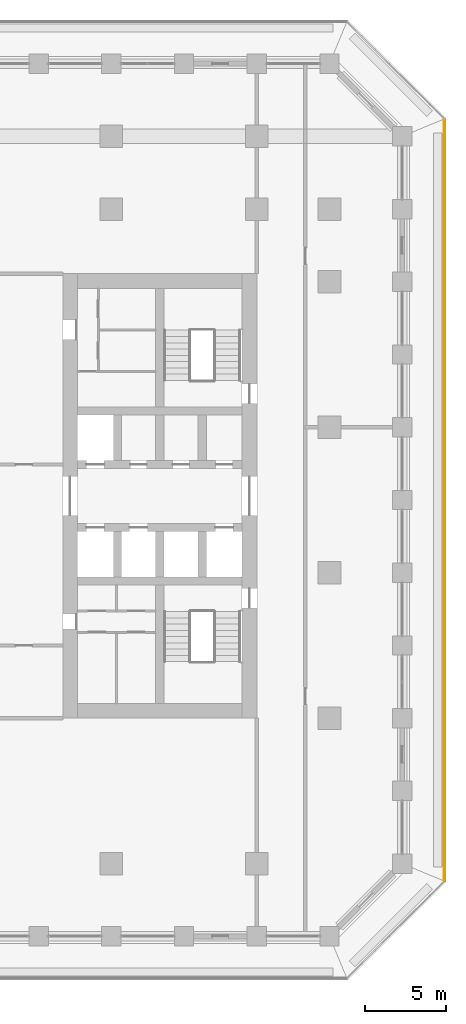
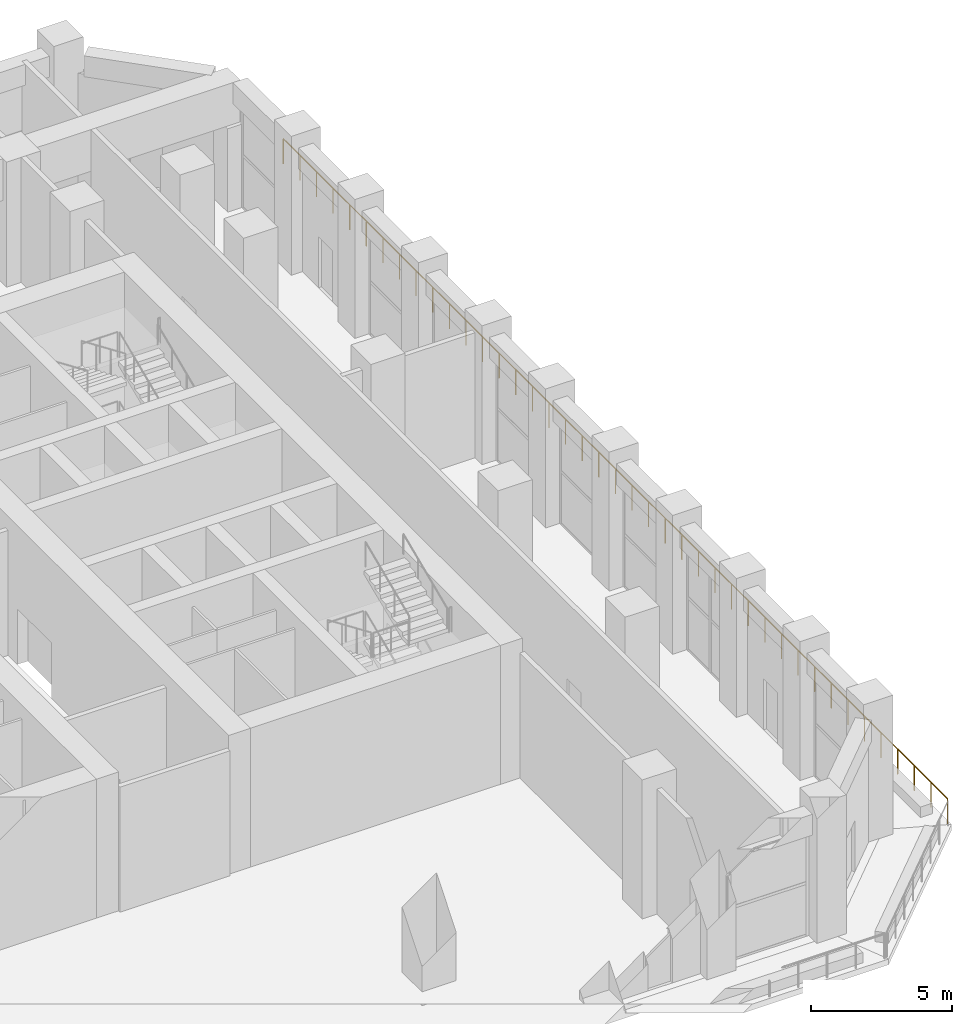
# One storey, part 20 of 24: 1 railing.
"""IFC4 building model written with IfcOpenShell, lengths in metres."""

from ifc_helpers import new_model, si_unit, direction, frame, origin, origin_2d, place, context, subcontext, project, spatial, circle, extrude, material, type_object, element, save


model = new_model("IFC4")

# Units and contexts
model_context = context("Model", 3, precision=1e-05, world=origin(), true_north=direction((0.0, 1.0)))
body_context = subcontext(model_context, "Body", "Model", "MODEL_VIEW")
ifc_project = project(units=[si_unit("LENGTHUNIT", "METRE"), si_unit("AREAUNIT", "SQUARE_METRE"), si_unit("VOLUMEUNIT", "CUBIC_METRE"), si_unit("PLANEANGLEUNIT", "RADIAN"), si_unit("MASSUNIT", "GRAM", prefix="KILO")], contexts=[model_context])

# Site, building, storey
site_placement = place(None, origin())
site = spatial("IfcSite", under=ifc_project, at=site_placement, CompositionType="ELEMENT")
building_placement = place(site_placement, origin())
building = spatial("IfcBuilding", under=site, at=building_placement, Name="Corbel Stack Research Tower", CompositionType="ELEMENT")
storey_placement = place(building_placement, frame((0.0, 0.0, 145.39990234375)))
storey = spatial("IfcBuildingStorey", under=building, at=storey_placement, Name="L33", CompositionType="ELEMENT", Elevation=145.39990234375)

# Railing
ifc_material = material(Name="Powder-coated steel guard", Category="steel")
railing_type = type_object("IfcRailingType", Name="Steel and glass guard 1100", PredefinedType="GUARDRAIL", material=ifc_material)
railing_placement = place(storey_placement, frame((29.60009765625, -19.00537109375, 0.0)))
element("IfcRailing", 1, at=railing_placement, inside=storey, type_object=railing_type, Name="Loggia guard L33 E", PredefinedType="GUARDRAIL", context=body_context, shape_type="SweptSolid", body=[
    extrude(circle(Radius=0.02392578125, at=origin_2d()), frame((0.0, 0.0, 1.076171875), z_axis=(0.0, 1.0, 0.0), x_axis=(-1.0, 0.0, 0.0)), (0.0, 0.0, 1.0), 47.0107421875),
    extrude(circle(Radius=0.02099609375, at=origin_2d()), origin(), (0.0, 0.0, 1.0), 1.052001953125),
    extrude(circle(Radius=0.02099609375, at=origin_2d()), frame((0.0, 1.17529296875, 0.0)), (0.0, 0.0, 1.0), 1.052001953125),
    extrude(circle(Radius=0.02099609375, at=origin_2d()), frame((0.0, 2.3505859375, 0.0)), (0.0, 0.0, 1.0), 1.052001953125),
    extrude(circle(Radius=0.02099609375, at=origin_2d()), frame((0.0, 3.52587890625, 0.0)), (0.0, 0.0, 1.0), 1.052001953125),
    extrude(circle(Radius=0.02099609375, at=origin_2d()), frame((0.0, 4.701171875, 0.0)), (0.0, 0.0, 1.0), 1.052001953125),
    extrude(circle(Radius=0.02099609375, at=origin_2d()), frame((0.0, 5.87646484375, 0.0)), (0.0, 0.0, 1.0), 1.052001953125),
    extrude(circle(Radius=0.02099609375, at=origin_2d()), frame((0.0, 7.051513671875, 0.0)), (0.0, 0.0, 1.0), 1.052001953125),
    extrude(circle(Radius=0.02099609375, at=origin_2d()), frame((0.0, 8.226806640625, 0.0)), (0.0, 0.0, 1.0), 1.052001953125),
    extrude(circle(Radius=0.02099609375, at=origin_2d()), frame((0.0, 9.402099609375, 0.0)), (0.0, 0.0, 1.0), 1.052001953125),
    extrude(circle(Radius=0.02099609375, at=origin_2d()), frame((0.0, 10.577392578125, 0.0)), (0.0, 0.0, 1.0), 1.052001953125),
    extrude(circle(Radius=0.02099609375, at=origin_2d()), frame((0.0, 11.752685546875, 0.0)), (0.0, 0.0, 1.0), 1.052001953125),
    extrude(circle(Radius=0.02099609375, at=origin_2d()), frame((0.0, 12.927978515625, 0.0)), (0.0, 0.0, 1.0), 1.052001953125),
    extrude(circle(Radius=0.02099609375, at=origin_2d()), frame((0.0, 14.103271484375, 0.0)), (0.0, 0.0, 1.0), 1.052001953125),
    extrude(circle(Radius=0.02099609375, at=origin_2d()), frame((0.0, 15.278564453125, 0.0)), (0.0, 0.0, 1.0), 1.052001953125),
    extrude(circle(Radius=0.02099609375, at=origin_2d()), frame((0.0, 16.453857421875, 0.0)), (0.0, 0.0, 1.0), 1.052001953125),
    extrude(circle(Radius=0.02099609375, at=origin_2d()), frame((0.0, 17.62890625, 0.0)), (0.0, 0.0, 1.0), 1.052001953125),
    extrude(circle(Radius=0.02099609375, at=origin_2d()), frame((0.0, 18.80419921875, 0.0)), (0.0, 0.0, 1.0), 1.052001953125),
    extrude(circle(Radius=0.02099609375, at=origin_2d()), frame((0.0, 19.9794921875, 0.0)), (0.0, 0.0, 1.0), 1.052001953125),
    extrude(circle(Radius=0.02099609375, at=origin_2d()), frame((0.0, 21.15478515625, 0.0)), (0.0, 0.0, 1.0), 1.052001953125),
    extrude(circle(Radius=0.02099609375, at=origin_2d()), frame((0.0, 22.330078125, 0.0)), (0.0, 0.0, 1.0), 1.052001953125),
    extrude(circle(Radius=0.02099609375, at=origin_2d()), frame((0.0, 23.50537109375, 0.0)), (0.0, 0.0, 1.0), 1.052001953125),
    extrude(circle(Radius=0.02099609375, at=origin_2d()), frame((0.0, 24.6806640625, 0.0)), (0.0, 0.0, 1.0), 1.052001953125),
    extrude(circle(Radius=0.02099609375, at=origin_2d()), frame((0.0, 25.85595703125, 0.0)), (0.0, 0.0, 1.0), 1.052001953125),
    extrude(circle(Radius=0.02099609375, at=origin_2d()), frame((0.0, 27.03125, 0.0)), (0.0, 0.0, 1.0), 1.052001953125),
    extrude(circle(Radius=0.02099609375, at=origin_2d()), frame((0.0, 28.20654296875, 0.0)), (0.0, 0.0, 1.0), 1.052001953125),
    extrude(circle(Radius=0.02099609375, at=origin_2d()), frame((0.0, 29.3818359375, 0.0)), (0.0, 0.0, 1.0), 1.052001953125),
    extrude(circle(Radius=0.02099609375, at=origin_2d()), frame((0.0, 30.556884765625, 0.0)), (0.0, 0.0, 1.0), 1.052001953125),
    extrude(circle(Radius=0.02099609375, at=origin_2d()), frame((0.0, 31.732177734375, 0.0)), (0.0, 0.0, 1.0), 1.052001953125),
    extrude(circle(Radius=0.02099609375, at=origin_2d()), frame((0.0, 32.907470703125, 0.0)), (0.0, 0.0, 1.0), 1.052001953125),
    extrude(circle(Radius=0.02099609375, at=origin_2d()), frame((0.0, 34.082763671875, 0.0)), (0.0, 0.0, 1.0), 1.052001953125),
    extrude(circle(Radius=0.02099609375, at=origin_2d()), frame((0.0, 35.258056640625, 0.0)), (0.0, 0.0, 1.0), 1.052001953125),
    extrude(circle(Radius=0.02099609375, at=origin_2d()), frame((0.0, 36.433349609375, 0.0)), (0.0, 0.0, 1.0), 1.052001953125),
    extrude(circle(Radius=0.02099609375, at=origin_2d()), frame((0.0, 37.608642578125, 0.0)), (0.0, 0.0, 1.0), 1.052001953125),
    extrude(circle(Radius=0.02099609375, at=origin_2d()), frame((0.0, 38.783935546875, 0.0)), (0.0, 0.0, 1.0), 1.052001953125),
    extrude(circle(Radius=0.02099609375, at=origin_2d()), frame((0.0, 39.959228515625, 0.0)), (0.0, 0.0, 1.0), 1.052001953125),
    extrude(circle(Radius=0.02099609375, at=origin_2d()), frame((0.0, 41.13427734375, 0.0)), (0.0, 0.0, 1.0), 1.052001953125),
    extrude(circle(Radius=0.02099609375, at=origin_2d()), frame((0.0, 42.3095703125, 0.0)), (0.0, 0.0, 1.0), 1.052001953125),
    extrude(circle(Radius=0.02099609375, at=origin_2d()), frame((0.0, 43.48486328125, 0.0)), (0.0, 0.0, 1.0), 1.052001953125),
    extrude(circle(Radius=0.02099609375, at=origin_2d()), frame((0.0, 44.66015625, 0.0)), (0.0, 0.0, 1.0), 1.052001953125),
    extrude(circle(Radius=0.02099609375, at=origin_2d()), frame((0.0, 45.83544921875, 0.0)), (0.0, 0.0, 1.0), 1.052001953125),
    extrude(circle(Radius=0.02099609375, at=origin_2d()), frame((0.0, 47.0107421875, 0.0)), (0.0, 0.0, 1.0), 1.052001953125),
])

save(model, "model.ifc")
